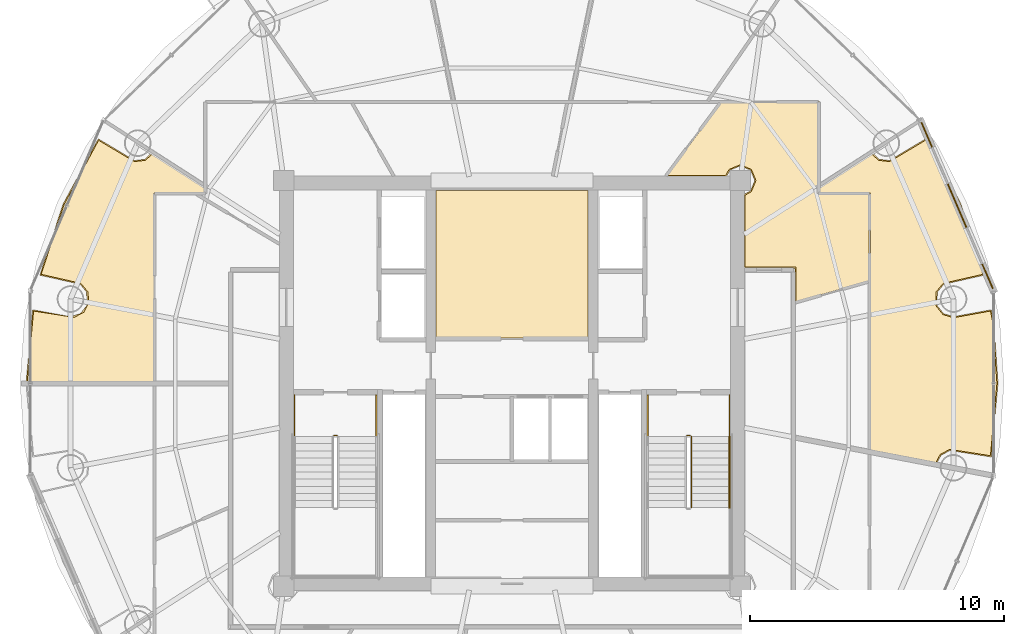
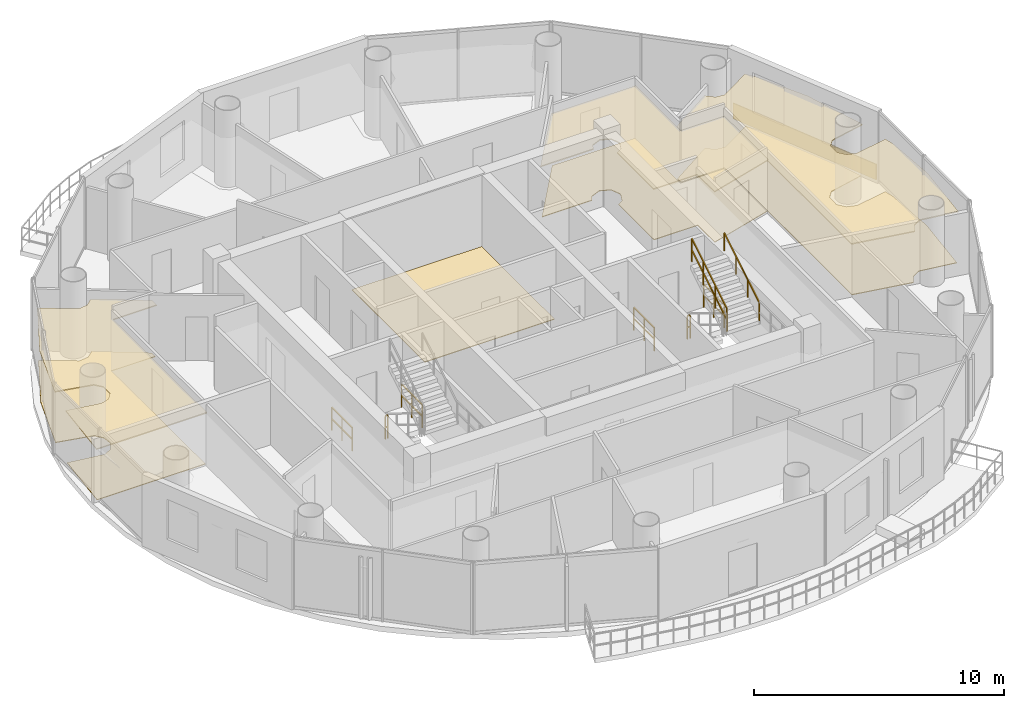
# One storey, part 23 of 24: 8 coverings, 8 railings.
"""IFC4 building model written with IfcOpenShell, lengths in metres."""

from ifc_helpers import new_model, si_unit, direction, frame, origin, origin_2d, place, context, subcontext, project, spatial, polyline, rectangle, outline, extrude, source, transform, mapped, material, layer, layer_set, type_object, element, save


model = new_model("IFC4")

# Units and contexts
model_context = context("Model", 3, precision=1e-05, world=origin(), true_north=direction((-0.2419218956, 0.970295726276)))
body_context = subcontext(model_context, "Body", "Model", "MODEL_VIEW")
ifc_project = project(units=[si_unit("LENGTHUNIT", "METRE"), si_unit("AREAUNIT", "SQUARE_METRE"), si_unit("VOLUMEUNIT", "CUBIC_METRE"), si_unit("PLANEANGLEUNIT", "RADIAN"), si_unit("MASSUNIT", "GRAM", prefix="KILO")], contexts=[model_context])

# Site, building, storey
site_placement = place(None, origin())
site = spatial("IfcSite", under=ifc_project, at=site_placement, CompositionType="ELEMENT")
building_placement = place(site_placement, origin())
building = spatial("IfcBuilding", under=site, at=building_placement, Name="Cobrevalo Terracotta Tower", CompositionType="ELEMENT")
storey_placement = place(building_placement, frame((0.0, 0.0, 293.199951171875)))
storey = spatial("IfcBuildingStorey", under=building, at=storey_placement, Name="L77", CompositionType="ELEMENT", Elevation=293.199951171875)

# Coverings
ifc_material_1 = material(Name="Engineered Brazilian hardwood flooring", Category="wood")
ifc_layer_1 = layer(ifc_material_1, 0.028076171875)
ifc_layer_set_1 = layer_set([ifc_layer_1], Name="Engineered Brazilian hardwood flooring")
covering_type_1 = type_object("IfcCoveringType", Name="Engineered Hardwood Suite Flooring 28", PredefinedType="FLOORING", material=ifc_layer_set_1)
covering_1_placement = place(storey_placement, origin())
element("IfcCovering", 1, at=covering_1_placement, inside=storey, type_object=covering_type_1, Name="Flat L77A Living and Dining Room floor finish", PredefinedType="FLOORING", context=body_context, shape_type="SweptSolid", body=[
    extrude(outline(polyline([(50.114990234375, 34.300048828125), (50.114990234375, 34.5791015625), (52.135498046875, 35.88037109375), (52.462890625, 35.593994140625), (52.8896484375, 35.5439453125), (54.300048828125, 36.382568359375), (54.55859375, 36.009765625), (55.66455078125, 33.848876953125), (56.56494140625, 31.1005859375), (55.00244140625, 30.74462890625), (54.727294921875, 30.41455078125), (54.72314453125, 29.84814453125), (54.9931640625, 29.51416015625), (55.4033203125, 29.38623046875), (56.8642578125, 29.65087890625), (56.956298828125, 29.2041015625), (57.119873046875, 26.800048828125), (56.8642578125, 23.948974609375), (55.259033203125, 24.198486328125), (54.881591796875, 23.9931640625), (54.6845703125, 23.621337890625), (52.125, 24.112060546875), (52.125, 34.300048828125), (50.114990234375, 34.300048828125)])), origin(), (0.0, 0.0, 1.0), 0.030029296875),
])
covering_2_placement = place(storey_placement, origin())
element("IfcCovering", 2, at=covering_2_placement, inside=storey, type_object=covering_type_1, Name="Flat L77A Private Cinema Room floor finish", PredefinedType="FLOORING", context=body_context, shape_type="SweptSolid", body=[
    extrude(outline(polyline([(23.875, 34.300048828125), (23.875, 26.820068359375), (18.88134765625, 26.820068359375), (19.1357421875, 29.65087890625), (20.740966796875, 29.401611328125), (21.118408203125, 29.60693359375), (21.318115234375, 29.9873046875), (21.272705078125, 30.41455078125), (20.99755859375, 30.74462890625), (19.43505859375, 31.1005859375), (20.33544921875, 33.848876953125), (21.699951171875, 36.382568359375), (23.1103515625, 35.5439453125), (23.537109375, 35.593994140625), (23.864501953125, 35.88037109375), (25.885009765625, 34.5791015625), (25.885009765625, 34.300048828125), (23.875, 34.300048828125)])), origin(), (0.0, 0.0, 1.0), 0.030029296875),
])
ifc_material_2 = material(Name="Honed terracotta and granite tile", Category="masonry")
ifc_layer_2 = layer(ifc_material_2, 0.034912109375)
ifc_layer_set_2 = layer_set([ifc_layer_2], Name="Honed terracotta and granite tile")
covering_type_2 = type_object("IfcCoveringType", Name="Honed Terracotta & Granite Interior Flooring 35", PredefinedType="FLOORING", material=ifc_layer_set_2)
covering_3_placement = place(storey_placement, origin())
element("IfcCovering", 3, at=covering_3_placement, inside=storey, type_object=covering_type_2, Name="Floor Electrical Switchroom floor finish", PredefinedType="FLOORING", context=body_context, shape_type="SweptSolid", body=[
    extrude(outline(polyline([(35.010009765625, 34.405029296875), (40.989990234375, 34.405029296875), (40.989990234375, 28.580078125), (35.010009765625, 28.580078125), (35.010009765625, 34.405029296875)])), origin(), (0.0, 0.0, 1.0), 0.030029296875),
])
covering_4_placement = place(storey_placement, origin())
element("IfcCovering", 4, at=covering_4_placement, inside=storey, type_object=covering_type_2, Name="Flat L77A Apartment Entrance Hall floor finish", PredefinedType="FLOORING", context=body_context, shape_type="SweptSolid", body=[
    extrude(outline(polyline([(47.195068359375, 31.3798828125), (47.195068359375, 34.218505859375), (47.438720703125, 34.361328125), (47.620361328125, 34.800048828125), (47.438720703125, 35.23876953125), (47.0, 35.42041015625), (46.561279296875, 35.23876953125), (46.41845703125, 34.9951171875), (44.10888671875, 34.9951171875), (46.246826171875, 37.875), (50.074951171875, 37.875), (50.074951171875, 34.260009765625), (52.0849609375, 34.260009765625), (52.0849609375, 30.837646484375), (49.205078125, 30.016357421875), (49.205078125, 31.3798828125), (47.195068359375, 31.3798828125)])), origin(), (0.0, 0.0, 1.0), 0.030029296875),
])
ifc_material_3 = material(Name="Acoustic perforated gypsum ceiling", Category="gypsum")
ifc_layer_3 = layer(ifc_material_3, 0.050048828125)
ifc_layer_set_3 = layer_set([ifc_layer_3], Name="Acoustic perforated gypsum ceiling")
covering_type_3 = type_object("IfcCoveringType", Name="Perforated Acoustic Gypsum Ceiling 50", PredefinedType="CEILING", material=ifc_layer_set_3)
covering_5_placement = place(storey_placement, frame((0.0, 0.0, 2.5)))
element("IfcCovering", 5, at=covering_5_placement, inside=storey, type_object=covering_type_3, Name="Flat L77A Living and Dining Room acoustic ceiling", PredefinedType="CEILING", context=body_context, shape_type="SweptSolid", body=[
    extrude(outline(polyline([(50.070068359375, 34.2548828125), (50.070068359375, 34.603759765625), (52.146728515625, 35.941162109375), (52.48095703125, 35.635498046875), (52.881591796875, 35.588623046875), (54.312255859375, 36.44384765625), (54.59716796875, 36.032958984375), (55.7060546875, 33.86669921875), (56.6181640625, 31.06494140625), (55.02734375, 30.70703125), (54.76904296875, 30.39697265625), (54.764892578125, 29.865234375), (55.0185546875, 29.551513671875), (55.40380859375, 29.431396484375), (56.899169921875, 29.703369140625), (57.0009765625, 29.210205078125), (57.1650390625, 26.800048828125), (56.899169921875, 23.896484375), (55.268310546875, 24.154296875), (54.913818359375, 23.96142578125), (54.716064453125, 23.569580078125), (52.080078125, 24.074951171875), (52.080078125, 34.2548828125), (50.070068359375, 34.2548828125)])), origin(), (0.0, 0.0, 1.0), 0.050048828125),
])
covering_6_placement = place(storey_placement, frame((0.0, 0.0, 2.5)))
element("IfcCovering", 6, at=covering_6_placement, inside=storey, type_object=covering_type_3, Name="Flat L77A Private Cinema Room acoustic ceiling", PredefinedType="CEILING", context=body_context, shape_type="SweptSolid", body=[
    extrude(outline(polyline([(23.919921875, 34.2548828125), (23.919921875, 26.77490234375), (18.833251953125, 26.77490234375), (19.100830078125, 29.703369140625), (20.59619140625, 29.431396484375), (20.9814453125, 29.551513671875), (21.235107421875, 29.865234375), (21.23095703125, 30.39697265625), (20.97265625, 30.70703125), (19.3818359375, 31.06494140625), (20.2939453125, 33.86669921875), (21.687744140625, 36.44384765625), (23.118408203125, 35.588623046875), (23.51904296875, 35.635498046875), (23.853271484375, 35.941162109375), (25.929931640625, 34.603759765625), (25.929931640625, 34.2548828125), (23.919921875, 34.2548828125)])), origin(), (0.0, 0.0, 1.0), 0.050048828125),
])
covering_7_placement = place(storey_placement, frame((0.0, 0.0, 2.5)))
element("IfcCovering", 7, at=covering_7_placement, inside=storey, type_object=covering_type_3, Name="Flat L77A Apartment Entrance Hall acoustic ceiling", PredefinedType="CEILING", context=body_context, shape_type="SweptSolid", body=[
    extrude(outline(polyline([(47.14990234375, 31.3349609375), (47.14990234375, 34.25537109375), (47.40625, 34.393798828125), (47.574462890625, 34.800048828125), (47.40625, 35.206298828125), (47.0, 35.37451171875), (46.59375, 35.206298828125), (46.455322265625, 34.949951171875), (44.019287109375, 34.949951171875), (46.22412109375, 37.919921875), (50.1201171875, 37.919921875), (50.1201171875, 34.304931640625), (52.1298828125, 34.304931640625), (52.1298828125, 30.8037109375), (49.159912109375, 29.95654296875), (49.159912109375, 31.3349609375), (47.14990234375, 31.3349609375)])), origin(), (0.0, 0.0, 1.0), 0.050048828125),
])

# Railings
ifc_material_4 = material(Name="Brushed stainless steel", Category="steel")
railing_type_1 = type_object("IfcRailingType", Name="Stainless Steel Stair Handrail 900", PredefinedType="HANDRAIL", material=ifc_material_4)
railing_1_placement = place(storey_placement, frame((46.574951171875, 21.89990234375, 2.04541015625)))
element("IfcRailing", 8, at=railing_1_placement, inside=storey, type_object=railing_type_1, Name="L77 ST-2 stair handrail 2", PredefinedType="HANDRAIL", context=body_context, shape_type="SweptSolid", body=[
    extrude(rectangle(XDim=0.048095703125, YDim=0.048095703125, at=origin_2d()), frame((0.0, 0.0, 0.8759765625), z_axis=(0.0, 0.854169791009, 0.51999420009), x_axis=(-1.0, 0.0, 0.0)), (0.0, 0.0, 1.0), 3.278076171875),
    extrude(rectangle(XDim=0.0419921875, YDim=0.0419921875, at=origin_2d()), origin(), (0.0, 0.0, 1.0), 0.851806640625),
    extrude(rectangle(XDim=0.0419921875, YDim=0.0419921875, at=origin_2d()), frame((0.0, 0.933349609375, 0.568115234375)), (0.0, 0.0, 1.0), 0.851806640625),
    extrude(rectangle(XDim=0.0419921875, YDim=0.0419921875, at=origin_2d()), frame((0.0, 1.86669921875, 1.136474609375)), (0.0, 0.0, 1.0), 0.851806640625),
    extrude(rectangle(XDim=0.0419921875, YDim=0.0419921875, at=origin_2d()), frame((0.0, 2.800048828125, 1.70458984375)), (0.0, 0.0, 1.0), 0.851806640625),
])
ifc_material_5 = material(Name="Painted galvanized steel", Category="steel")
railing_type_2 = type_object("IfcRailingType", Name="Stair Well Guard Balustrade 1150", PredefinedType="GUARDRAIL", material=ifc_material_5)
railing_2_placement = place(storey_placement, frame((30.97509765625, 24.75, 0.0)))
element("IfcRailing", 9, at=railing_2_placement, inside=storey, type_object=railing_type_2, Name="L77 ST-1 stair guard 7", PredefinedType="GUARDRAIL", context=body_context, shape_type="SweptSolid", body=[
    extrude(rectangle(XDim=0.048095703125, YDim=0.048095703125, at=origin_2d()), frame((0.0, 0.0, 1.1259765625), z_axis=(1.0, 0.0, 0.0), x_axis=(0.0, 1.0, 0.0)), (0.0, 0.0, 1.0), 0.119873046875),
    extrude(rectangle(XDim=0.048095703125, YDim=0.048095703125, at=origin_2d()), frame((0.0, 0.0, 0.574951171875), z_axis=(1.0, 0.0, 0.0), x_axis=(0.0, 1.0, 0.0)), (0.0, 0.0, 1.0), 0.119873046875),
    extrude(rectangle(XDim=0.0419921875, YDim=0.0419921875, at=origin_2d()), origin(), (0.0, 0.0, 1.0), 1.101806640625),
    extrude(rectangle(XDim=0.0419921875, YDim=0.0419921875, at=origin_2d()), frame((0.119873046875, 0.0, 0.0)), (0.0, 0.0, 1.0), 1.101806640625),
])
for number, where, name in (
    (10, (29.425048828125, 26.35009765625, 0.0), "L77 ST-1 stair guard 8"),
    (11, (32.64501953125, 26.35009765625, 0.0), "L77 ST-1 stair guard 9"),
):
    element("IfcRailing", number, at=place(storey_placement, frame(where)), inside=storey, type_object=railing_type_2, Name=name, PredefinedType="GUARDRAIL", context=body_context, shape_type="SweptSolid", body=[
        extrude(rectangle(XDim=0.048095703125, YDim=0.048095703125, at=origin_2d()), frame((0.0, 0.0, 1.1259765625), z_axis=(0.0, -1.0, 0.0), x_axis=(1.0, 0.0, 0.0)), (0.0, 0.0, 1.0), 1.650146484375),
        extrude(rectangle(XDim=0.048095703125, YDim=0.048095703125, at=origin_2d()), frame((0.0, 0.0, 0.574951171875), z_axis=(0.0, -1.0, 0.0), x_axis=(1.0, 0.0, 0.0)), (0.0, 0.0, 1.0), 1.650146484375),
        extrude(rectangle(XDim=0.0419921875, YDim=0.0419921875, at=origin_2d()), origin(), (0.0, 0.0, 1.0), 1.101806640625),
        extrude(rectangle(XDim=0.0419921875, YDim=0.0419921875, at=origin_2d()), frame((0.0, -0.8251953125, 0.0)), (0.0, 0.0, 1.0), 1.101806640625),
        extrude(rectangle(XDim=0.0419921875, YDim=0.0419921875, at=origin_2d()), frame((0.0, -1.650146484375, 0.0)), (0.0, 0.0, 1.0), 1.101806640625),
    ])
railing_3_placement = place(storey_placement, frame((45.074951171875, 21.89990234375, 2.04541015625)))
element("IfcRailing", 12, at=railing_3_placement, inside=storey, type_object=railing_type_2, Name="L77 ST-2 stair guard 6", PredefinedType="GUARDRAIL", context=body_context, shape_type="SweptSolid", body=[
    extrude(rectangle(XDim=0.048095703125, YDim=0.048095703125, at=origin_2d()), frame((0.0, 0.0, 1.1259765625), z_axis=(0.0, 0.854169791009, 0.51999420009), x_axis=(-1.0, 0.0, 0.0)), (0.0, 0.0, 1.0), 3.278076171875),
    extrude(rectangle(XDim=0.048095703125, YDim=0.048095703125, at=origin_2d()), frame((0.0, 0.0, 0.574951171875), z_axis=(0.0, 0.854169791009, 0.51999420009), x_axis=(-1.0, 0.0, 0.0)), (0.0, 0.0, 1.0), 3.278076171875),
    extrude(rectangle(XDim=0.0419921875, YDim=0.0419921875, at=origin_2d()), origin(), (0.0, 0.0, 1.0), 1.101806640625),
    extrude(rectangle(XDim=0.0419921875, YDim=0.0419921875, at=origin_2d()), frame((0.0, 0.933349609375, 0.568115234375)), (0.0, 0.0, 1.0), 1.101806640625),
    extrude(rectangle(XDim=0.0419921875, YDim=0.0419921875, at=origin_2d()), frame((0.0, 1.86669921875, 1.136474609375)), (0.0, 0.0, 1.0), 1.101806640625),
    extrude(rectangle(XDim=0.0419921875, YDim=0.0419921875, at=origin_2d()), frame((0.0, 2.800048828125, 1.70458984375)), (0.0, 0.0, 1.0), 1.101806640625),
])
railing_4_placement = place(storey_placement, frame((44.905029296875, 24.75, 0.0)))
element("IfcRailing", 13, at=railing_4_placement, inside=storey, type_object=railing_type_2, Name="L77 ST-2 stair guard 7", PredefinedType="GUARDRAIL", context=body_context, shape_type="SweptSolid", body=[
    extrude(rectangle(XDim=0.048095703125, YDim=0.048095703125, at=origin_2d()), frame((0.0, 0.0, 1.1259765625), z_axis=(1.0, 0.0, 0.0), x_axis=(0.0, 1.0, 0.0)), (0.0, 0.0, 1.0), 0.119873046875),
    extrude(rectangle(XDim=0.048095703125, YDim=0.048095703125, at=origin_2d()), frame((0.0, 0.0, 0.574951171875), z_axis=(1.0, 0.0, 0.0), x_axis=(0.0, 1.0, 0.0)), (0.0, 0.0, 1.0), 0.119873046875),
    extrude(rectangle(XDim=0.0419921875, YDim=0.0419921875, at=origin_2d()), origin(), (0.0, 0.0, 1.0), 1.101806640625),
    extrude(rectangle(XDim=0.0419921875, YDim=0.0419921875, at=origin_2d()), frame((0.119873046875, 0.0, 0.0)), (0.0, 0.0, 1.0), 1.101806640625),
])
for number, where, name in (
    (14, (43.35498046875, 26.35009765625, 0.0), "L77 ST-2 stair guard 8"),
    (15, (46.574951171875, 26.35009765625, 0.0), "L77 ST-2 stair guard 9"),
):
    element("IfcRailing", number, at=place(storey_placement, frame(where)), inside=storey, type_object=railing_type_2, Name=name, PredefinedType="GUARDRAIL", context=body_context, shape_type="SweptSolid", body=[
        extrude(rectangle(XDim=0.048095703125, YDim=0.048095703125, at=origin_2d()), frame((0.0, 0.0, 1.1259765625), z_axis=(0.0, -1.0, 0.0), x_axis=(1.0, 0.0, 0.0)), (0.0, 0.0, 1.0), 1.650146484375),
        extrude(rectangle(XDim=0.048095703125, YDim=0.048095703125, at=origin_2d()), frame((0.0, 0.0, 0.574951171875), z_axis=(0.0, -1.0, 0.0), x_axis=(1.0, 0.0, 0.0)), (0.0, 0.0, 1.0), 1.650146484375),
        extrude(rectangle(XDim=0.0419921875, YDim=0.0419921875, at=origin_2d()), origin(), (0.0, 0.0, 1.0), 1.101806640625),
        extrude(rectangle(XDim=0.0419921875, YDim=0.0419921875, at=origin_2d()), frame((0.0, -0.8251953125, 0.0)), (0.0, 0.0, 1.0), 1.101806640625),
        extrude(rectangle(XDim=0.0419921875, YDim=0.0419921875, at=origin_2d()), frame((0.0, -1.650146484375, 0.0)), (0.0, 0.0, 1.0), 1.101806640625),
    ])

# Covering
ifc_material_6 = material(Name="Glazed terracotta facade cladding tile", Category="masonry")
ifc_layer_4 = layer(ifc_material_6, 0.044921875)
ifc_layer_set_4 = layer_set([ifc_layer_4], Name="Glazed terracotta facade cladding tile")
covering_type_4 = type_object("IfcCoveringType", Name="Architectural terracotta rainscreen spandrel cladding 45 mm", PredefinedType="CLADDING", material=ifc_layer_set_4)
shared_shape = source(origin(), body_context, "Body", "SweptSolid", [
    extrude(rectangle(XDim=7.125244140625, YDim=0.044921875, at=origin_2d()), origin(), (0.0, 0.0, 1.0), 0.760009765625),
])
covering_8_placement = place(storey_placement, frame((55.5517578125, 33.807373046875, 0.0400390625), z_axis=(0.0, 0.0, 1.0), x_axis=(-0.394828845134, 0.918754691444, 0.0)))
element("IfcCovering", 16, at=covering_8_placement, inside=storey, type_object=covering_type_4, Name="L77 terracotta spandrel cladding S01", PredefinedType="CLADDING", context=body_context, shape_type="MappedRepresentation", body=[
    mapped(shared_shape, transform((0.0, 0.0, 0.0), scale=1.0)),
])

save(model, "model.ifc")
